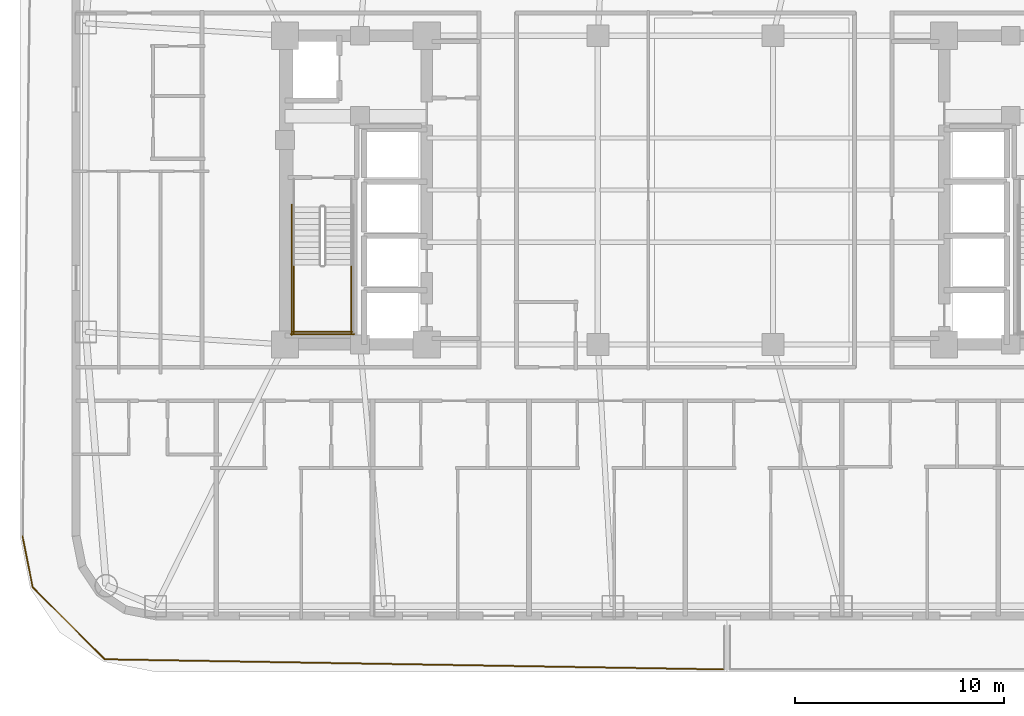
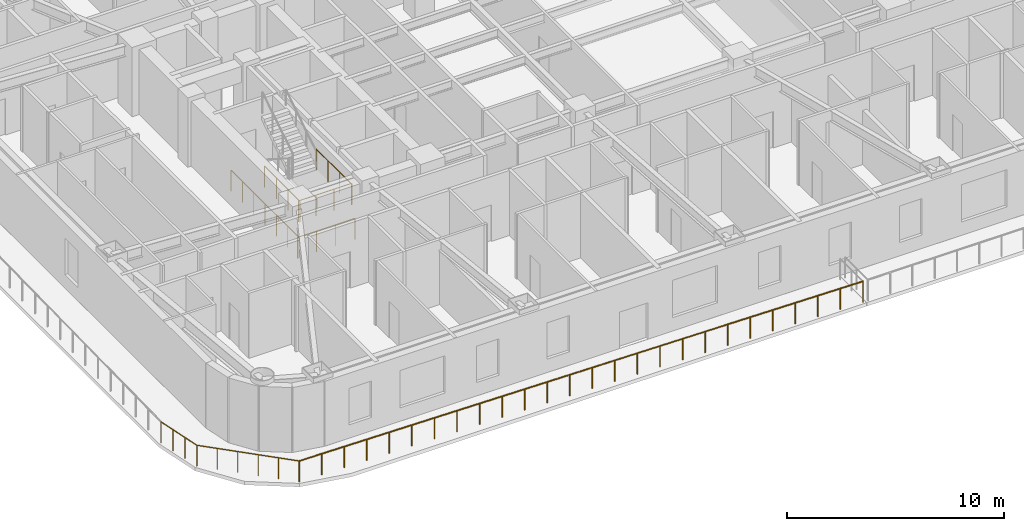
# One storey, part 12 of 16: 8 railings.
"""IFC4 building model written with IfcOpenShell, lengths in metres."""

from ifc_helpers import new_model, si_unit, direction, frame, origin, origin_2d, place, context, subcontext, project, spatial, circle, extrude, material, type_object, element, save


model = new_model("IFC4")

# Units and contexts
model_context = context("Model", 3, precision=1e-05, world=origin(), true_north=direction((0.0, 1.0)))
body_context = subcontext(model_context, "Body", "Model", "MODEL_VIEW")
ifc_project = project(units=[si_unit("LENGTHUNIT", "METRE"), si_unit("AREAUNIT", "SQUARE_METRE"), si_unit("VOLUMEUNIT", "CUBIC_METRE"), si_unit("PLANEANGLEUNIT", "RADIAN"), si_unit("MASSUNIT", "GRAM", prefix="KILO")], contexts=[model_context])

# Site, building, storey
site_placement = place(None, origin())
site = spatial("IfcSite", under=ifc_project, at=site_placement, CompositionType="ELEMENT")
building_placement = place(site_placement, origin())
building = spatial("IfcBuilding", under=site, at=building_placement, Name="Voryun Gate Residences", CompositionType="ELEMENT")
storey_placement = place(building_placement, frame((0.0, 0.0, 113.10009765625)))
storey = spatial("IfcBuildingStorey", under=building, at=storey_placement, Name="L27", CompositionType="ELEMENT", Elevation=113.10009765625)

# Railings
ifc_material_1 = material(Name="Anodised aluminium", Category="aluminium")
railing_type_1 = type_object("IfcRailingType", Name="RAIL_BALCONY_GUARD_1200", PredefinedType="GUARDRAIL", material=ifc_material_1)
railing_1_placement = place(storey_placement, frame((-27.840576171875, -22.4921875, 0.0)))
element("IfcRailing", 1, at=railing_1_placement, inside=storey, type_object=railing_type_1, Name="Terrace guard RL-L27-P1L1-01", PredefinedType="GUARDRAIL", context=body_context, shape_type="SweptSolid", body=[
    extrude(circle(Radius=0.02392578125, at=origin_2d()), frame((0.0, 0.0, 1.17578125), z_axis=(-0.707106781187, 0.707106781187, 0.0), x_axis=(-0.707106781187, -0.707106781187, 0.0)), (0.0, 0.0, 1.0), 4.88134765625),
    extrude(circle(Radius=0.02099609375, at=origin_2d()), origin(), (0.0, 0.0, 1.0), 1.15185546875),
    extrude(circle(Radius=0.02099609375, at=origin_2d()), frame((-0.6904296875, 0.6904296875, 0.0)), (0.0, 0.0, 1.0), 1.15185546875),
    extrude(circle(Radius=0.02099609375, at=origin_2d()), frame((-1.380615234375, 1.380615234375, 0.0)), (0.0, 0.0, 1.0), 1.15185546875),
    extrude(circle(Radius=0.02099609375, at=origin_2d()), frame((-2.071044921875, 2.071044921875, 0.0)), (0.0, 0.0, 1.0), 1.15185546875),
    extrude(circle(Radius=0.02099609375, at=origin_2d()), frame((-2.76123046875, 2.76123046875, 0.0)), (0.0, 0.0, 1.0), 1.15185546875),
    extrude(circle(Radius=0.02099609375, at=origin_2d()), frame((-3.45166015625, 3.45166015625, 0.0)), (0.0, 0.0, 1.0), 1.15185546875),
])
railing_2_placement = place(storey_placement, frame((-31.292236328125, -19.04052734375, 0.0)))
element("IfcRailing", 2, at=railing_2_placement, inside=storey, type_object=railing_type_1, Name="Terrace guard RL-L27-P1L1-02", PredefinedType="GUARDRAIL", context=body_context, shape_type="SweptSolid", body=[
    extrude(circle(Radius=0.02392578125, at=origin_2d()), frame((0.0, 0.0, 1.17578125), z_axis=(-0.195083303106, 0.980786676525, 0.0), x_axis=(-0.980786676525, -0.195083303106, 0.0)), (0.0, 0.0, 1.0), 2.50048828125),
    extrude(circle(Radius=0.02099609375, at=origin_2d()), origin(), (0.0, 0.0, 1.0), 1.15185546875),
    extrude(circle(Radius=0.02099609375, at=origin_2d()), frame((-0.16259765625, 0.8173828125, 0.0)), (0.0, 0.0, 1.0), 1.15185546875),
    extrude(circle(Radius=0.02099609375, at=origin_2d()), frame((-0.3251953125, 1.635009765625, 0.0)), (0.0, 0.0, 1.0), 1.15185546875),
    extrude(circle(Radius=0.02099609375, at=origin_2d()), frame((-0.48779296875, 2.452392578125, 0.0)), (0.0, 0.0, 1.0), 1.15185546875),
])
railing_3_placement = place(storey_placement, frame((1.8701171875, -22.97998046875, 0.0)))
element("IfcRailing", 3, at=railing_3_placement, inside=storey, type_object=railing_type_1, Name="Terrace guard RL-L27-P1L2-02", PredefinedType="GUARDRAIL", context=body_context, shape_type="SweptSolid", body=[
    extrude(circle(Radius=0.02392578125, at=origin_2d()), frame((0.0, 0.0, 1.17578125), z_axis=(-0.999865250329, 0.016415882084, 0.0), x_axis=(-0.016415882084, -0.999865250329, 0.0)), (0.0, 0.0, 1.0), 29.714599609375),
    extrude(circle(Radius=0.02099609375, at=origin_2d()), origin(), (0.0, 0.0, 1.0), 1.15185546875),
    extrude(circle(Radius=0.02099609375, at=origin_2d()), frame((-1.1884765625, 0.01953125, 0.0)), (0.0, 0.0, 1.0), 1.15185546875),
    extrude(circle(Radius=0.02099609375, at=origin_2d()), frame((-2.376953125, 0.0390625, 0.0)), (0.0, 0.0, 1.0), 1.15185546875),
    extrude(circle(Radius=0.02099609375, at=origin_2d()), frame((-3.565185546875, 0.05859375, 0.0)), (0.0, 0.0, 1.0), 1.15185546875),
    extrude(circle(Radius=0.02099609375, at=origin_2d()), frame((-4.753662109375, 0.078125, 0.0)), (0.0, 0.0, 1.0), 1.15185546875),
    extrude(circle(Radius=0.02099609375, at=origin_2d()), frame((-5.942138671875, 0.09765625, 0.0)), (0.0, 0.0, 1.0), 1.15185546875),
    extrude(circle(Radius=0.02099609375, at=origin_2d()), frame((-7.130615234375, 0.1171875, 0.0)), (0.0, 0.0, 1.0), 1.15185546875),
    extrude(circle(Radius=0.02099609375, at=origin_2d()), frame((-8.319091796875, 0.136474609375, 0.0)), (0.0, 0.0, 1.0), 1.15185546875),
    extrude(circle(Radius=0.02099609375, at=origin_2d()), frame((-9.50732421875, 0.156005859375, 0.0)), (0.0, 0.0, 1.0), 1.15185546875),
    extrude(circle(Radius=0.02099609375, at=origin_2d()), frame((-10.69580078125, 0.175537109375, 0.0)), (0.0, 0.0, 1.0), 1.15185546875),
    extrude(circle(Radius=0.02099609375, at=origin_2d()), frame((-11.88427734375, 0.195068359375, 0.0)), (0.0, 0.0, 1.0), 1.15185546875),
    extrude(circle(Radius=0.02099609375, at=origin_2d()), frame((-13.07275390625, 0.214599609375, 0.0)), (0.0, 0.0, 1.0), 1.15185546875),
    extrude(circle(Radius=0.02099609375, at=origin_2d()), frame((-14.26123046875, 0.234130859375, 0.0)), (0.0, 0.0, 1.0), 1.15185546875),
    extrude(circle(Radius=0.02099609375, at=origin_2d()), frame((-15.449462890625, 0.253662109375, 0.0)), (0.0, 0.0, 1.0), 1.15185546875),
    extrude(circle(Radius=0.02099609375, at=origin_2d()), frame((-16.637939453125, 0.273193359375, 0.0)), (0.0, 0.0, 1.0), 1.15185546875),
    extrude(circle(Radius=0.02099609375, at=origin_2d()), frame((-17.826416015625, 0.292724609375, 0.0)), (0.0, 0.0, 1.0), 1.15185546875),
    extrude(circle(Radius=0.02099609375, at=origin_2d()), frame((-19.014892578125, 0.312255859375, 0.0)), (0.0, 0.0, 1.0), 1.15185546875),
    extrude(circle(Radius=0.02099609375, at=origin_2d()), frame((-20.203369140625, 0.331787109375, 0.0)), (0.0, 0.0, 1.0), 1.15185546875),
    extrude(circle(Radius=0.02099609375, at=origin_2d()), frame((-21.3916015625, 0.351318359375, 0.0)), (0.0, 0.0, 1.0), 1.15185546875),
    extrude(circle(Radius=0.02099609375, at=origin_2d()), frame((-22.580078125, 0.37060546875, 0.0)), (0.0, 0.0, 1.0), 1.15185546875),
    extrude(circle(Radius=0.02099609375, at=origin_2d()), frame((-23.7685546875, 0.39013671875, 0.0)), (0.0, 0.0, 1.0), 1.15185546875),
    extrude(circle(Radius=0.02099609375, at=origin_2d()), frame((-24.95703125, 0.40966796875, 0.0)), (0.0, 0.0, 1.0), 1.15185546875),
    extrude(circle(Radius=0.02099609375, at=origin_2d()), frame((-26.1455078125, 0.42919921875, 0.0)), (0.0, 0.0, 1.0), 1.15185546875),
    extrude(circle(Radius=0.02099609375, at=origin_2d()), frame((-27.333740234375, 0.44873046875, 0.0)), (0.0, 0.0, 1.0), 1.15185546875),
    extrude(circle(Radius=0.02099609375, at=origin_2d()), frame((-28.522216796875, 0.46826171875, 0.0)), (0.0, 0.0, 1.0), 1.15185546875),
    extrude(circle(Radius=0.02099609375, at=origin_2d()), frame((-29.710693359375, 0.48779296875, 0.0)), (0.0, 0.0, 1.0), 1.15185546875),
])
ifc_material_2 = material(Name="Painted steel", Category="steel")
railing_type_2 = type_object("IfcRailingType", Name="RAIL_STAIR_GUARD_1200", PredefinedType="GUARDRAIL", material=ifc_material_2)
for number, where, name in (
    (4, (-18.77490234375, -3.60009765625, 1.949951171875), "L27 ST-W1 stair guard 3"),
    (5, (-16.02490234375, -3.60009765625, 1.949951171875), "L27 ST-W1 stair guard 4"),
):
    element("IfcRailing", number, at=place(storey_placement, frame(where)), inside=storey, type_object=railing_type_2, Name=name, PredefinedType="GUARDRAIL", context=body_context, shape_type="SweptSolid", body=[
        extrude(circle(Radius=0.02392578125, at=origin_2d()), frame((0.0, 0.0, 1.17578125), z_axis=(0.0, -1.0, 0.0), x_axis=(1.0, 0.0, 0.0)), (0.0, 0.0, 1.0), 3.25),
        extrude(circle(Radius=0.02099609375, at=origin_2d()), origin(), (0.0, 0.0, 1.0), 1.15185546875),
        extrude(circle(Radius=0.02099609375, at=origin_2d()), frame((0.0, -1.083251953125, 0.0)), (0.0, 0.0, 1.0), 1.15185546875),
        extrude(circle(Radius=0.02099609375, at=origin_2d()), frame((0.0, -2.166748046875, 0.0)), (0.0, 0.0, 1.0), 1.15185546875),
        extrude(circle(Radius=0.02099609375, at=origin_2d()), frame((0.0, -3.25, 0.0)), (0.0, 0.0, 1.0), 1.15185546875),
    ])
railing_4_placement = place(storey_placement, frame((-18.824951171875, -6.800048828125, 1.949951171875)))
element("IfcRailing", 6, at=railing_4_placement, inside=storey, type_object=railing_type_2, Name="L27 ST-W1 stair guard 5", PredefinedType="GUARDRAIL", context=body_context, shape_type="SweptSolid", body=[
    extrude(circle(Radius=0.02392578125, at=origin_2d()), frame((0.0, 0.0, 1.17578125), z_axis=(1.0, 0.0, 0.0), x_axis=(0.0, 1.0, 0.0)), (0.0, 0.0, 1.0), 2.849853515625),
    extrude(circle(Radius=0.02099609375, at=origin_2d()), origin(), (0.0, 0.0, 1.0), 1.15185546875),
    extrude(circle(Radius=0.02099609375, at=origin_2d()), frame((0.949951171875, 0.0, 0.0)), (0.0, 0.0, 1.0), 1.15185546875),
    extrude(circle(Radius=0.02099609375, at=origin_2d()), frame((1.89990234375, 0.0, 0.0)), (0.0, 0.0, 1.0), 1.15185546875),
    extrude(circle(Radius=0.02099609375, at=origin_2d()), frame((2.849853515625, 0.0, 0.0)), (0.0, 0.0, 1.0), 1.15185546875),
])
railing_5_placement = place(storey_placement, frame((-18.875, -0.699951171875, 0.0)))
element("IfcRailing", 7, at=railing_5_placement, inside=storey, type_object=railing_type_2, Name="L27 ST-W1 stair guard 10", PredefinedType="GUARDRAIL", context=body_context, shape_type="SweptSolid", body=[
    extrude(circle(Radius=0.02392578125, at=origin_2d()), frame((0.0, 0.0, 1.17578125), z_axis=(0.0, -1.0, 0.0), x_axis=(1.0, 0.0, 0.0)), (0.0, 0.0, 1.0), 6.25),
    extrude(circle(Radius=0.02099609375, at=origin_2d()), origin(), (0.0, 0.0, 1.0), 1.15185546875),
    extrude(circle(Radius=0.02099609375, at=origin_2d()), frame((0.0, -1.041748046875, 0.0)), (0.0, 0.0, 1.0), 1.15185546875),
    extrude(circle(Radius=0.02099609375, at=origin_2d()), frame((0.0, -2.083251953125, 0.0)), (0.0, 0.0, 1.0), 1.15185546875),
    extrude(circle(Radius=0.02099609375, at=origin_2d()), frame((0.0, -3.125, 0.0)), (0.0, 0.0, 1.0), 1.15185546875),
    extrude(circle(Radius=0.02099609375, at=origin_2d()), frame((0.0, -4.166748046875, 0.0)), (0.0, 0.0, 1.0), 1.15185546875),
    extrude(circle(Radius=0.02099609375, at=origin_2d()), frame((0.0, -5.208251953125, 0.0)), (0.0, 0.0, 1.0), 1.15185546875),
    extrude(circle(Radius=0.02099609375, at=origin_2d()), frame((0.0, -6.25, 0.0)), (0.0, 0.0, 1.0), 1.15185546875),
])
railing_6_placement = place(storey_placement, frame((-18.925048828125, -6.89990234375, 0.0)))
element("IfcRailing", 8, at=railing_6_placement, inside=storey, type_object=railing_type_2, Name="L27 ST-W1 stair guard 12", PredefinedType="GUARDRAIL", context=body_context, shape_type="SweptSolid", body=[
    extrude(circle(Radius=0.02392578125, at=origin_2d()), frame((0.0, 0.0, 1.17578125), z_axis=(1.0, 0.0, 0.0), x_axis=(0.0, 1.0, 0.0)), (0.0, 0.0, 1.0), 3.050048828125),
    extrude(circle(Radius=0.02099609375, at=origin_2d()), origin(), (0.0, 0.0, 1.0), 1.15185546875),
    extrude(circle(Radius=0.02099609375, at=origin_2d()), frame((1.0166015625, 0.0, 0.0)), (0.0, 0.0, 1.0), 1.15185546875),
    extrude(circle(Radius=0.02099609375, at=origin_2d()), frame((2.033447265625, 0.0, 0.0)), (0.0, 0.0, 1.0), 1.15185546875),
    extrude(circle(Radius=0.02099609375, at=origin_2d()), frame((3.050048828125, 0.0, 0.0)), (0.0, 0.0, 1.0), 1.15185546875),
])

save(model, "model.ifc")
